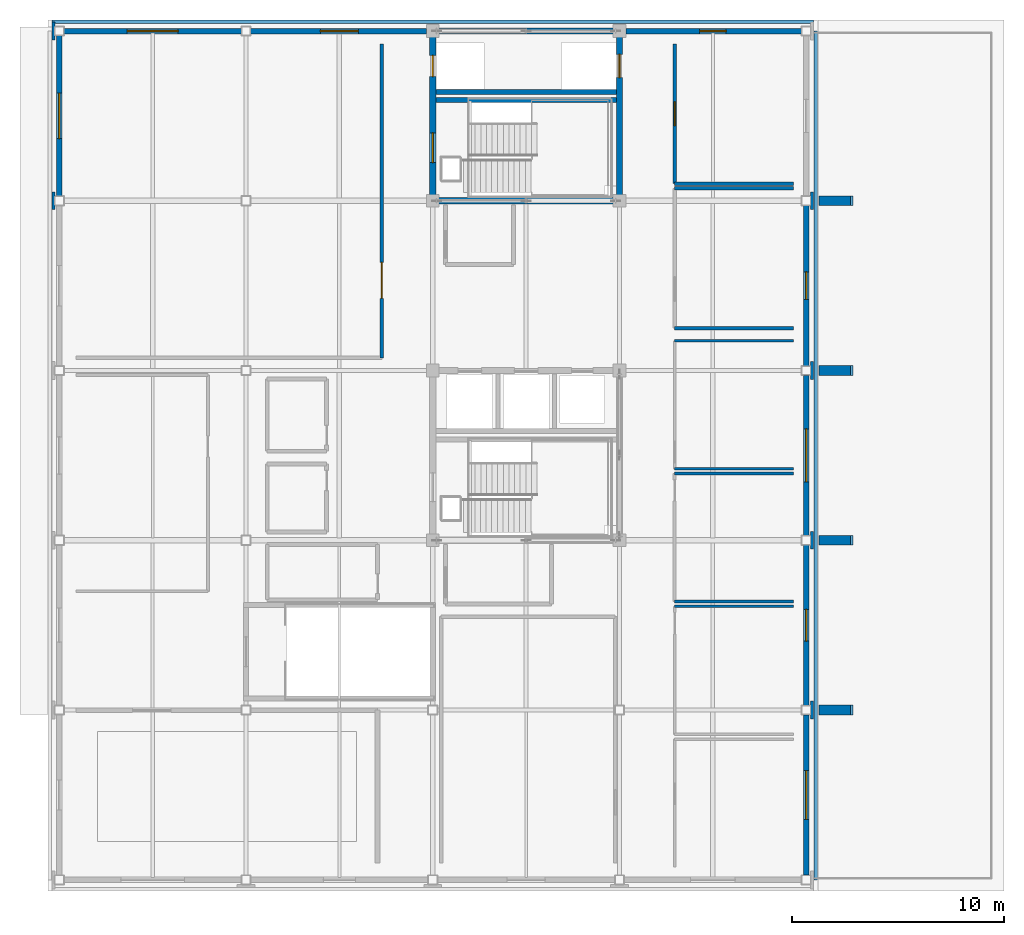
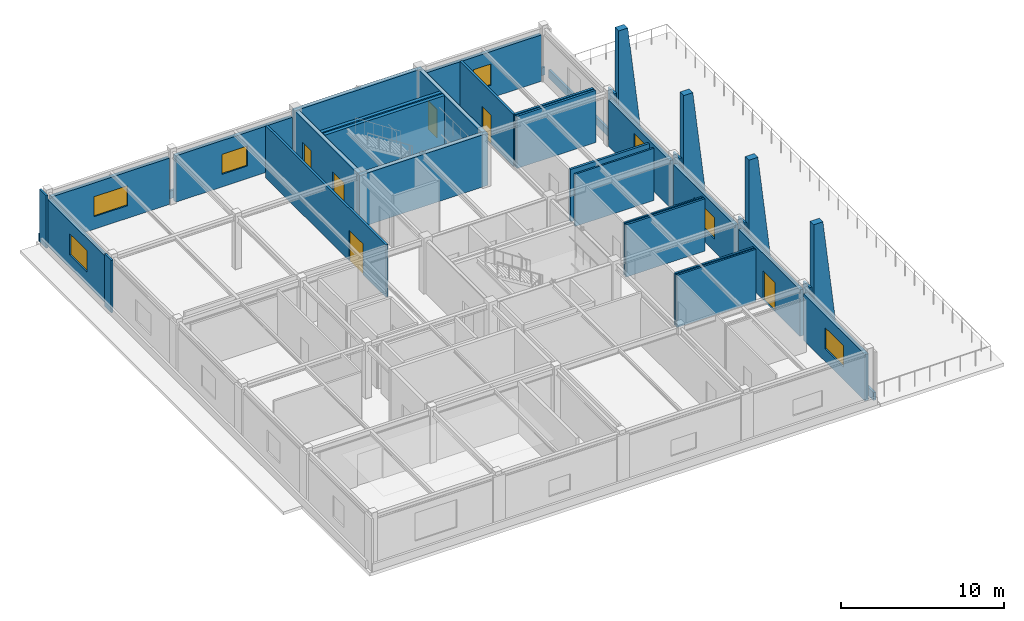
# One storey, part 8 of 13: 36 walls, 7 windows, 6 doors, 13 openings.
"""IFC4 building model written with IfcOpenShell, lengths in metres."""

from ifc_helpers import new_model, si_unit, direction, frame, frame_2d, origin, place, context, subcontext, project, spatial, polyline, rectangle, outline, extrude, material, layer, layer_set, type_object, element, fill, save


model = new_model("IFC4")

# Units and contexts
model_context = context("Model", 3, precision=1e-05, world=origin(), true_north=direction((0.0, 1.0)))
body_context = subcontext(model_context, "Body", "Model", "MODEL_VIEW")
ifc_project = project(units=[si_unit("LENGTHUNIT", "METRE"), si_unit("AREAUNIT", "SQUARE_METRE"), si_unit("VOLUMEUNIT", "CUBIC_METRE"), si_unit("PLANEANGLEUNIT", "RADIAN"), si_unit("MASSUNIT", "GRAM", prefix="KILO")], contexts=[model_context])

# Site, building, storey
site_placement = place(None, origin())
site = spatial("IfcSite", under=ifc_project, at=site_placement, CompositionType="ELEMENT")
building_placement = place(site_placement, origin())
building = spatial("IfcBuilding", under=site, at=building_placement, Name="Zhaolan Boulevard Law Courts", CompositionType="ELEMENT")
storey_placement = place(building_placement, frame((0.0, 0.0, 37.199951171875)))
storey = spatial("IfcBuildingStorey", under=building, at=storey_placement, Name="L08", CompositionType="ELEMENT", Elevation=37.199951171875)

# Walls
ifc_material_1 = material(Name="Concrete C50", Category="concrete")
ifc_layer_1 = layer(ifc_material_1, 0.300048828125)
ifc_layer_set_1 = layer_set([ifc_layer_1])
wall_type_1 = type_object("IfcWallType", Name="CORE SHEAR WALL 300", PredefinedType="SHEAR", material=ifc_layer_set_1)
for number, where, z_axis, x_axis, name in (
    (1, (17.449951171875, 62.0, 0.0), (0.0, 0.0, 1.0), (1.0, 0.0, 0.0), "Core Shear Wall CW-W2-L08S"),
    (2, (26.550048828125, 70.0, 0.0), (0.0, 0.0, 1.0), (-1.0, 0.0, 0.0), "Core Shear Wall CW-W2-L08N"),
):
    element("IfcWall", number, at=place(storey_placement, frame(where, z_axis=z_axis, x_axis=x_axis)), inside=storey, type_object=wall_type_1, Name=name, PredefinedType="SHEAR", context=body_context, shape_type="SweptSolid", body=[
        extrude(rectangle(XDim=9.10009765625, YDim=0.300048828125, at=frame_2d((4.550048828125, 0.0))), origin(), (0.0, 0.0, 1.0), 3.920166015625),
    ])

# Wall, openings, doors
wall_1_placement = place(storey_placement, frame((17.60009765625, 62.14990234375, 0.0), z_axis=(0.0, 0.0, 1.0), x_axis=(0.0, 1.0, 0.0)))
wall_1 = element("IfcWall", 3, at=wall_1_placement, inside=storey, type_object=wall_type_1, Name="Core Shear Wall CW-W2-L08W", PredefinedType="SHEAR", context=body_context, shape_type="SweptSolid", body=[
    extrude(rectangle(XDim=7.7001953125, YDim=0.300048828125, at=frame_2d((3.85009765625, 0.0))), origin(), (0.0, 0.0, 1.0), 3.920166015625),
])
opening_1_placement = place(wall_1_placement, frame((1.64990234375, 0.0, 0.0)))
opening_1 = element("IfcOpeningElement", 4, at=opening_1_placement, cuts=wall_1, Name="Opening SD-L08-21", PredefinedType="OPENING", context=body_context, shape_type="SweptSolid", body=[
    extrude(rectangle(XDim=1.39990234375, YDim=2.199951171875, at=frame_2d((0.699951171875, 1.10009765625))), frame((0.0, 0.159912109375, 0.0), z_axis=(0.0, -1.0, 0.0), x_axis=(1.0, 0.0, 0.0)), (0.0, 0.0, 1.0), 0.320068359375),
])
opening_2_placement = place(wall_1_placement, frame((5.699951171875, 0.0, 0.0)))
opening_2 = element("IfcOpeningElement", 5, at=opening_2_placement, cuts=wall_1, Name="Opening LD-JL-02-L08", PredefinedType="OPENING", context=body_context, shape_type="SweptSolid", body=[
    extrude(rectangle(XDim=1.0, YDim=2.14990234375, at=frame_2d((0.5, 1.074951171875))), frame((0.0, 0.159912109375, 0.0), z_axis=(0.0, -1.0, 0.0), x_axis=(1.0, 0.0, 0.0)), (0.0, 0.0, 1.0), 0.320068359375),
])
ifc_material_2 = material(Name="Stainless steel sliding landing door", Category="steel")
door_type_1 = type_object("IfcDoorType", Name="LIFT LANDING 1000X2150", OperationType="DOUBLE_DOOR_SLIDING", PredefinedType="DOOR", material=ifc_material_2)
door_1_placement = place(opening_2_placement, origin())
door_1 = element("IfcDoor", 6, at=door_1_placement, inside=storey, type_object=door_type_1, Name="Lift Landing Sliding Door LD-JL-02-L08", OperationType="DOUBLE_DOOR_SLIDING", OverallHeight=2.14990234375, OverallWidth=1.0, PredefinedType="DOOR", context=body_context, shape_type="SweptSolid", body=[
    extrude(rectangle(XDim=1.0, YDim=2.14990234375, at=frame_2d((0.5, 1.074951171875))), frame((0.0, 0.02490234375, 0.0), z_axis=(0.0, -1.0, 0.0), x_axis=(1.0, 0.0, 0.0)), (0.0, 0.0, 1.0), 0.050048828125),
])
fill(opening_2, door_1)
ifc_material_3 = material(Name="Fire-rated steel acoustic door", Category="steel")
door_type_2 = type_object("IfcDoorType", Name="STAIR FIRE 1400X2200 L", OperationType="SINGLE_SWING_LEFT", PredefinedType="DOOR", material=ifc_material_3)
door_2_placement = place(opening_1_placement, origin())
door_2 = element("IfcDoor", 7, at=door_2_placement, inside=storey, type_object=door_type_2, Name="Smoke-Proof Stairwell Fire Door SD-L08-21", OperationType="SINGLE_SWING_LEFT", OverallHeight=2.199951171875, OverallWidth=1.39990234375, PredefinedType="DOOR", context=body_context, shape_type="SweptSolid", body=[
    extrude(rectangle(XDim=1.39990234375, YDim=2.199951171875, at=frame_2d((0.699951171875, 1.10009765625))), frame((0.0, 0.02490234375, 0.0), z_axis=(0.0, -1.0, 0.0), x_axis=(1.0, 0.0, 0.0)), (0.0, 0.0, 1.0), 0.050048828125),
])
fill(opening_1, door_2)

# Wall, opening, door
wall_2_placement = place(storey_placement, frame((26.39990234375, 62.14990234375, 0.0), z_axis=(0.0, 0.0, 1.0), x_axis=(0.0, 1.0, 0.0)))
wall_2 = element("IfcWall", 8, at=wall_2_placement, inside=storey, type_object=wall_type_1, Name="Core Shear Wall CW-W2-L08E", PredefinedType="SHEAR", context=body_context, shape_type="SweptSolid", body=[
    extrude(rectangle(XDim=7.7001953125, YDim=0.300048828125, at=frame_2d((3.85009765625, 0.0))), origin(), (0.0, 0.0, 1.0), 3.920166015625),
])
opening_3_placement = place(wall_2_placement, frame((5.64990234375, 0.0, 0.0)))
opening_3 = element("IfcOpeningElement", 9, at=opening_3_placement, cuts=wall_2, Name="Opening LD-FL-03-L08", PredefinedType="OPENING", context=body_context, shape_type="SweptSolid", body=[
    extrude(rectangle(XDim=1.10009765625, YDim=2.14990234375, at=frame_2d((0.550048828125, 1.074951171875))), frame((0.0, 0.159912109375, 0.0), z_axis=(0.0, -1.0, 0.0), x_axis=(1.0, 0.0, 0.0)), (0.0, 0.0, 1.0), 0.320068359375),
])
ifc_material_4 = material(Name="Stainless steel sliding landing door", Category="steel")
door_type_3 = type_object("IfcDoorType", Name="LIFT LANDING 1100X2150", OperationType="DOUBLE_DOOR_SLIDING", PredefinedType="DOOR", material=ifc_material_4)
door_3_placement = place(opening_3_placement, origin())
door_3 = element("IfcDoor", 10, at=door_3_placement, inside=storey, type_object=door_type_3, Name="Lift Landing Sliding Door LD-FL-03-L08", OperationType="DOUBLE_DOOR_SLIDING", OverallHeight=2.14990234375, OverallWidth=1.10009765625, PredefinedType="DOOR", context=body_context, shape_type="SweptSolid", body=[
    extrude(rectangle(XDim=1.10009765625, YDim=2.14990234375, at=frame_2d((0.550048828125, 1.074951171875))), frame((0.0, 0.02490234375, 0.0), z_axis=(0.0, -1.0, 0.0), x_axis=(1.0, 0.0, 0.0)), (0.0, 0.0, 1.0), 0.050048828125),
])
fill(opening_3, door_3)

# Walls
ifc_material_5 = material(Name="Concrete C40", Category="concrete")
ifc_layer_2 = layer(ifc_material_5, 0.139892578125)
ifc_layer_set_2 = layer_set([ifc_layer_2])
wall_type_2 = type_object("IfcWallType", Name="EXT WALL ARCH CLAD140", PredefinedType="SOLIDWALL", material=ifc_layer_set_2)
for number, where, z_axis, x_axis, name in (
    (11, (35.47998046875, 37.580078125, 0.0), (0.0, 0.0, 1.0), (0.0, 1.0, 0.0), "Concrete Column Cloak Pier CPR-186"),
    (12, (35.47998046875, 45.580078125, 0.0), (0.0, 0.0, 1.0), (0.0, 1.0, 0.0), "Concrete Column Cloak Pier CPR-188"),
    (13, (35.47998046875, 53.580078125, 0.0), (0.0, 0.0, 1.0), (0.0, 1.0, 0.0), "Concrete Column Cloak Pier CPR-190"),
    (14, (-0.280029296875, 61.580078125, 0.0), (0.0, 0.0, 1.0), (0.0, 1.0, 0.0), "Concrete Column Cloak Pier CPR-191"),
    (15, (35.47998046875, 61.580078125, 0.0), (0.0, 0.0, 1.0), (0.0, 1.0, 0.0), "Concrete Column Cloak Pier CPR-192"),
    (16, (-0.280029296875, 69.580078125, 0.0), (0.0, 0.0, 1.0), (0.0, 1.0, 0.0), "Concrete Column Cloak Pier CPR-193"),
):
    element("IfcWall", number, at=place(storey_placement, frame(where, z_axis=z_axis, x_axis=x_axis)), inside=storey, type_object=wall_type_2, Name=name, PredefinedType="SOLIDWALL", context=body_context, shape_type="SweptSolid", body=[
        extrude(rectangle(XDim=0.83984375, YDim=0.139892578125, at=frame_2d((0.419921875, 0.0))), origin(), (0.0, 0.0, 1.0), 3.93994140625),
    ])
ifc_material_6 = material(Name="Concrete C40", Category="concrete")
ifc_layer_3 = layer(ifc_material_6, 0.159912109375)
ifc_layer_set_3 = layer_set([ifc_layer_3])
wall_type_3 = type_object("IfcWallType", Name="EXT WALL ARCH CLAD160", PredefinedType="SOLIDWALL", material=ifc_layer_set_3)
wall_3_placement = place(storey_placement, frame((35.639892578125, 30.0, 0.0), z_axis=(0.0, 0.0, 1.0), x_axis=(0.0, 1.0, 0.0)))
element("IfcWall", 17, at=wall_3_placement, inside=storey, type_object=wall_type_3, Name="Sculpted Concrete Spandrel Band CBW-180", PredefinedType="SOLIDWALL", context=body_context, shape_type="SweptSolid", body=[
    extrude(rectangle(XDim=40.0, YDim=0.159912109375, at=frame_2d((20.0, 0.0))), origin(), (0.0, 0.0, 1.0), 0.580078125),
])
wall_4_placement = place(storey_placement, frame((35.5400390625, 70.43994140625, 0.0), z_axis=(0.0, 0.0, 1.0), x_axis=(-1.0, 0.0, 0.0)))
element("IfcWall", 18, at=wall_4_placement, inside=storey, type_object=wall_type_3, Name="Sculpted Concrete Spandrel Band CBW-182", PredefinedType="SOLIDWALL", context=body_context, shape_type="SweptSolid", body=[
    extrude(rectangle(XDim=35.880126953125, YDim=0.159912109375, at=frame_2d((17.93994140625, 0.0))), origin(), (0.0, 0.0, 1.0), 0.580078125),
])
ifc_material_7 = material(Name="Concrete C40", Category="concrete")
ifc_layer_4 = layer(ifc_material_7, 0.4599609375)
ifc_layer_set_4 = layer_set([ifc_layer_4])
wall_type_4 = type_object("IfcWallType", Name="EXT WALL BUTTRESS460", PredefinedType="SOLIDWALL", material=ifc_layer_set_4)
for number, where, z_axis, x_axis, name in (
    (19, (35.800048828125, 38.0, 0.0), (0.0, 0.0, 1.0), (1.0, 0.0, 0.0), "Sculpted Upper East Concrete Fin SCF-229"),
    (20, (35.800048828125, 46.0, 0.0), (0.0, 0.0, 1.0), (1.0, 0.0, 0.0), "Sculpted Upper East Concrete Fin SCF-230"),
    (21, (35.800048828125, 54.0, 0.0), (0.0, 0.0, 1.0), (1.0, 0.0, 0.0), "Sculpted Upper East Concrete Fin SCF-231"),
    (22, (35.800048828125, 62.0, 0.0), (0.0, 0.0, 1.0), (1.0, 0.0, 0.0), "Sculpted Upper East Concrete Fin SCF-232"),
):
    element("IfcWall", number, at=place(storey_placement, frame(where, z_axis=z_axis, x_axis=x_axis)), inside=storey, type_object=wall_type_4, Name=name, PredefinedType="SOLIDWALL", context=body_context, shape_type="SweptSolid", body=[
        extrude(outline(polyline([(0.0, 0.0), (1.599853515625, 0.0), (1.60009765625, 0.199951171875), (0.64990234375, 8.400146484375), (0.0, 8.400146484375), (0.0, 0.0)])), frame((0.0, 0.22998046875, 0.0), z_axis=(0.0, -1.0, 0.0), x_axis=(1.0, 0.0, 0.0)), (0.0, 0.0, 1.0), 0.4599609375),
    ])

# Wall, opening, window
ifc_material_8 = material(Name="Concrete C40", Category="concrete")
ifc_layer_5 = layer(ifc_material_8, 0.260009765625)
ifc_layer_set_5 = layer_set([ifc_layer_5])
wall_type_5 = type_object("IfcWallType", Name="EXT WALL CONCRETE260", PredefinedType="SOLIDWALL", material=ifc_layer_set_5)
wall_5_placement = place(storey_placement, frame((8.5791015625, 70.0, 0.0), z_axis=(0.0, 0.0, 1.0), x_axis=(-1.0, 0.0, 0.0)))
wall_5 = element("IfcWall", 23, at=wall_5_placement, inside=storey, type_object=wall_type_5, Name="Exterior Wall EW-L08-412", PredefinedType="SOLIDWALL", context=body_context, shape_type="SweptSolid", body=[
    extrude(rectangle(XDim=8.358154296875, YDim=0.260009765625, at=frame_2d((4.17919921875, 0.0))), origin(), (0.0, 0.0, 1.0), 3.483154296875),
])
opening_4_placement = place(wall_5_placement, frame((2.97900390625, 0.0, 0.949951171875)))
opening_4 = element("IfcOpeningElement", 24, at=opening_4_placement, cuts=wall_5, Name="Opening WIN-L08-262", PredefinedType="OPENING", context=body_context, shape_type="SweptSolid", body=[
    extrude(rectangle(XDim=2.39990234375, YDim=1.5, at=frame_2d((1.199951171875, 0.75))), frame((0.0, 0.139892578125, 0.0), z_axis=(0.0, -1.0, 0.0), x_axis=(1.0, 0.0, 0.0)), (0.0, 0.0, 1.0), 0.280029296875),
])
ifc_material_9 = material(Name="Thermally broken aluminium and low-E glazing", Category="aluminium")
window_type_1 = type_object("IfcWindowType", Name="WINDOW 2400X1500", PartitioningType="DOUBLE_PANEL_VERTICAL", PredefinedType="WINDOW", material=ifc_material_9)
window_1_placement = place(opening_4_placement, origin())
window_1 = element("IfcWindow", 25, at=window_1_placement, inside=storey, type_object=window_type_1, Name="Exterior Window WIN-L08-262", OverallHeight=1.5, OverallWidth=2.39990234375, PartitioningType="SINGLE_PANEL", PredefinedType="WINDOW", context=body_context, shape_type="SweptSolid", body=[
    extrude(rectangle(XDim=2.39990234375, YDim=1.5, at=frame_2d((1.199951171875, 0.75))), frame((0.0, 0.030029296875, 0.0), z_axis=(0.0, -1.0, 0.0), x_axis=(1.0, 0.0, 0.0)), (0.0, 0.0, 1.0), 0.06005859375),
])
fill(opening_4, window_1)

wall_6_placement = place(storey_placement, frame((17.303955078125, 70.0, 0.0), z_axis=(0.0, 0.0, 1.0), x_axis=(-1.0, 0.0, 0.0)))
wall_6 = element("IfcWall", 26, at=wall_6_placement, inside=storey, type_object=wall_type_5, Name="Exterior Wall EW-L08-413", PredefinedType="SOLIDWALL", context=body_context, shape_type="SweptSolid", body=[
    extrude(rectangle(XDim=8.282958984375, YDim=0.260009765625, at=frame_2d((4.1416015625, 0.0))), origin(), (0.0, 0.0, 1.0), 3.483154296875),
])
opening_5_placement = place(wall_6_placement, frame((3.2041015625, 0.0, 0.949951171875)))
opening_5 = element("IfcOpeningElement", 27, at=opening_5_placement, cuts=wall_6, Name="Opening WIN-L08-263", PredefinedType="OPENING", context=body_context, shape_type="SweptSolid", body=[
    extrude(rectangle(XDim=1.800048828125, YDim=1.5, at=frame_2d((0.89990234375, 0.75))), frame((0.0, 0.139892578125, 0.0), z_axis=(0.0, -1.0, 0.0), x_axis=(1.0, 0.0, 0.0)), (0.0, 0.0, 1.0), 0.280029296875),
])
ifc_material_10 = material(Name="Thermally broken aluminium and low-E glazing", Category="aluminium")
window_type_2 = type_object("IfcWindowType", Name="WINDOW 1800X1500", PartitioningType="DOUBLE_PANEL_VERTICAL", PredefinedType="WINDOW", material=ifc_material_10)
window_2_placement = place(opening_5_placement, origin())
window_2 = element("IfcWindow", 28, at=window_2_placement, inside=storey, type_object=window_type_2, Name="Exterior Window WIN-L08-263", OverallHeight=1.5, OverallWidth=1.800048828125, PartitioningType="SINGLE_PANEL", PredefinedType="WINDOW", context=body_context, shape_type="SweptSolid", body=[
    extrude(rectangle(XDim=1.800048828125, YDim=1.5, at=frame_2d((0.89990234375, 0.75))), frame((0.0, 0.030029296875, 0.0), z_axis=(0.0, -1.0, 0.0), x_axis=(1.0, 0.0, 0.0)), (0.0, 0.0, 1.0), 0.06005859375),
])
fill(opening_5, window_2)

wall_7_placement = place(storey_placement, frame((34.97900390625, 70.0, 0.0), z_axis=(0.0, 0.0, 1.0), x_axis=(-1.0, 0.0, 0.0)))
wall_7 = element("IfcWall", 29, at=wall_7_placement, inside=storey, type_object=wall_type_5, Name="Exterior Wall EW-L08-414", PredefinedType="SOLIDWALL", context=body_context, shape_type="SweptSolid", body=[
    extrude(rectangle(XDim=8.282958984375, YDim=0.260009765625, at=frame_2d((4.1416015625, 0.0))), origin(), (0.0, 0.0, 1.0), 3.483154296875),
])
opening_6_placement = place(wall_7_placement, frame((3.553955078125, 0.0, 0.949951171875)))
opening_6 = element("IfcOpeningElement", 30, at=opening_6_placement, cuts=wall_7, Name="Opening WIN-L08-264", PredefinedType="OPENING", context=body_context, shape_type="SweptSolid", body=[
    extrude(rectangle(XDim=1.25, YDim=1.60009765625, at=frame_2d((0.625, 0.800048828125))), frame((0.0, 0.139892578125, 0.0), z_axis=(0.0, -1.0, 0.0), x_axis=(1.0, 0.0, 0.0)), (0.0, 0.0, 1.0), 0.280029296875),
])
ifc_material_11 = material(Name="Thermally broken aluminium and low-E glazing", Category="aluminium")
window_type_3 = type_object("IfcWindowType", Name="WINDOW 1250X1600", PartitioningType="SINGLE_PANEL", PredefinedType="WINDOW", material=ifc_material_11)
window_3_placement = place(opening_6_placement, origin())
window_3 = element("IfcWindow", 31, at=window_3_placement, inside=storey, type_object=window_type_3, Name="Exterior Window WIN-L08-264", OverallHeight=1.60009765625, OverallWidth=1.25, PartitioningType="SINGLE_PANEL", PredefinedType="WINDOW", context=body_context, shape_type="SweptSolid", body=[
    extrude(rectangle(XDim=1.25, YDim=1.60009765625, at=frame_2d((0.625, 0.800048828125))), frame((0.0, 0.030029296875, 0.0), z_axis=(0.0, -1.0, 0.0), x_axis=(1.0, 0.0, 0.0)), (0.0, 0.0, 1.0), 0.06005859375),
])
fill(opening_6, window_3)

wall_8_placement = place(storey_placement, frame((0.0, 69.779052734375, 0.0), z_axis=(0.0, 0.0, 1.0), x_axis=(0.0, -1.0, 0.0)))
wall_8 = element("IfcWall", 32, at=wall_8_placement, inside=storey, type_object=wall_type_5, Name="Exterior Wall EW-L08-419", PredefinedType="SOLIDWALL", context=body_context, shape_type="SweptSolid", body=[
    extrude(rectangle(XDim=7.55810546875, YDim=0.260009765625, at=frame_2d((3.779052734375, 0.0))), origin(), (0.0, 0.0, 1.0), 3.483154296875),
])
opening_7_placement = place(wall_8_placement, frame((2.7041015625, 0.0, 0.949951171875)))
opening_7 = element("IfcOpeningElement", 33, at=opening_7_placement, cuts=wall_8, Name="Opening WIN-L08-269", PredefinedType="OPENING", context=body_context, shape_type="SweptSolid", body=[
    extrude(rectangle(XDim=2.14990234375, YDim=1.60009765625, at=frame_2d((1.074951171875, 0.800048828125))), frame((0.0, 0.139892578125, 0.0), z_axis=(0.0, -1.0, 0.0), x_axis=(1.0, 0.0, 0.0)), (0.0, 0.0, 1.0), 0.280029296875),
])
ifc_material_12 = material(Name="Thermally broken aluminium and low-E glazing", Category="aluminium")
window_type_4 = type_object("IfcWindowType", Name="WINDOW 2150X1600", PartitioningType="DOUBLE_PANEL_VERTICAL", PredefinedType="WINDOW", material=ifc_material_12)
window_4_placement = place(opening_7_placement, origin())
window_4 = element("IfcWindow", 34, at=window_4_placement, inside=storey, type_object=window_type_4, Name="Exterior Window WIN-L08-269", OverallHeight=1.60009765625, OverallWidth=2.14990234375, PartitioningType="SINGLE_PANEL", PredefinedType="WINDOW", context=body_context, shape_type="SweptSolid", body=[
    extrude(rectangle(XDim=2.14990234375, YDim=1.60009765625, at=frame_2d((1.074951171875, 0.800048828125))), frame((0.0, 0.030029296875, 0.0), z_axis=(0.0, -1.0, 0.0), x_axis=(1.0, 0.0, 0.0)), (0.0, 0.0, 1.0), 0.06005859375),
])
fill(opening_7, window_4)

wall_9_placement = place(storey_placement, frame((35.199951171875, 30.220947265625, 0.0), z_axis=(0.0, 0.0, 1.0), x_axis=(0.0, 1.0, 0.0)))
wall_9 = element("IfcWall", 35, at=wall_9_placement, inside=storey, type_object=wall_type_5, Name="Exterior Wall EW-L08-420", PredefinedType="SOLIDWALL", context=body_context, shape_type="SweptSolid", body=[
    extrude(rectangle(XDim=7.55810546875, YDim=0.260009765625, at=frame_2d((3.779052734375, 0.0))), origin(), (0.0, 0.0, 1.0), 3.483154296875),
])
opening_8_placement = place(wall_9_placement, frame((2.62890625, 0.0, 0.949951171875)))
opening_8 = element("IfcOpeningElement", 36, at=opening_8_placement, cuts=wall_9, Name="Opening WIN-L08-270", PredefinedType="OPENING", context=body_context, shape_type="SweptSolid", body=[
    extrude(rectangle(XDim=2.300048828125, YDim=1.60009765625, at=frame_2d((1.14990234375, 0.800048828125))), frame((0.0, 0.139892578125, 0.0), z_axis=(0.0, -1.0, 0.0), x_axis=(1.0, 0.0, 0.0)), (0.0, 0.0, 1.0), 0.280029296875),
])
ifc_material_13 = material(Name="Thermally broken aluminium and low-E glazing", Category="aluminium")
window_type_5 = type_object("IfcWindowType", Name="WINDOW 2300X1600", PartitioningType="DOUBLE_PANEL_VERTICAL", PredefinedType="WINDOW", material=ifc_material_13)
window_5_placement = place(opening_8_placement, origin())
window_5 = element("IfcWindow", 37, at=window_5_placement, inside=storey, type_object=window_type_5, Name="Exterior Window WIN-L08-270", OverallHeight=1.60009765625, OverallWidth=2.300048828125, PartitioningType="SINGLE_PANEL", PredefinedType="WINDOW", context=body_context, shape_type="SweptSolid", body=[
    extrude(rectangle(XDim=2.300048828125, YDim=1.60009765625, at=frame_2d((1.14990234375, 0.800048828125))), frame((0.0, 0.030029296875, 0.0), z_axis=(0.0, -1.0, 0.0), x_axis=(1.0, 0.0, 0.0)), (0.0, 0.0, 1.0), 0.06005859375),
])
fill(opening_8, window_5)

# Wall, opening, door
wall_10_placement = place(storey_placement, frame((35.199951171875, 38.220947265625, 0.0), z_axis=(0.0, 0.0, 1.0), x_axis=(0.0, 1.0, 0.0)))
wall_10 = element("IfcWall", 38, at=wall_10_placement, inside=storey, type_object=wall_type_5, Name="Exterior Wall EW-L08-421", PredefinedType="SOLIDWALL", context=body_context, shape_type="SweptSolid", body=[
    extrude(rectangle(XDim=7.55810546875, YDim=0.260009765625, at=frame_2d((3.779052734375, 0.0))), origin(), (0.0, 0.0, 1.0), 3.483154296875),
])
opening_9_placement = place(wall_10_placement, frame((3.029052734375, 0.0, 0.0)))
opening_9 = element("IfcOpeningElement", 39, at=opening_9_placement, cuts=wall_10, Name="Opening TD-L08-01", PredefinedType="OPENING", context=body_context, shape_type="SweptSolid", body=[
    extrude(rectangle(XDim=1.5, YDim=2.199951171875, at=frame_2d((0.75, 1.10009765625))), frame((0.0, 0.139892578125, 0.0), z_axis=(0.0, -1.0, 0.0), x_axis=(1.0, 0.0, 0.0)), (0.0, 0.0, 1.0), 0.280029296875),
])
ifc_material_14 = material(Name="Insulated powder-coated steel and safety glass", Category="steel")
door_type_4 = type_object("IfcDoorType", Name="TERRACE DOOR 1500X2200", OperationType="SINGLE_SWING_LEFT", PredefinedType="DOOR", material=ifc_material_14)
door_4_placement = place(opening_9_placement, origin())
door_4 = element("IfcDoor", 40, at=door_4_placement, inside=storey, type_object=door_type_4, Name="Terrace Access Door TD-L08-01", OperationType="SINGLE_SWING_LEFT", OverallHeight=2.199951171875, OverallWidth=1.5, PredefinedType="DOOR", context=body_context, shape_type="SweptSolid", body=[
    extrude(rectangle(XDim=1.5, YDim=2.199951171875, at=frame_2d((0.75, 1.10009765625))), frame((0.0, 0.02490234375, 0.0), z_axis=(0.0, -1.0, 0.0), x_axis=(1.0, 0.0, 0.0)), (0.0, 0.0, 1.0), 0.050048828125),
])
fill(opening_9, door_4)

# Wall, opening, window
wall_11_placement = place(storey_placement, frame((35.199951171875, 46.220947265625, 0.0), z_axis=(0.0, 0.0, 1.0), x_axis=(0.0, 1.0, 0.0)))
wall_11 = element("IfcWall", 41, at=wall_11_placement, inside=storey, type_object=wall_type_5, Name="Exterior Wall EW-L08-422", PredefinedType="SOLIDWALL", context=body_context, shape_type="SweptSolid", body=[
    extrude(rectangle(XDim=7.55810546875, YDim=0.260009765625, at=frame_2d((3.779052734375, 0.0))), origin(), (0.0, 0.0, 1.0), 3.483154296875),
])
opening_10_placement = place(wall_11_placement, frame((2.529052734375, 0.0, 0.949951171875)))
opening_10 = element("IfcOpeningElement", 42, at=opening_10_placement, cuts=wall_11, Name="Opening WIN-L08-271", PredefinedType="OPENING", context=body_context, shape_type="SweptSolid", body=[
    extrude(rectangle(XDim=2.5, YDim=1.60009765625, at=frame_2d((1.25, 0.800048828125))), frame((0.0, 0.139892578125, 0.0), z_axis=(0.0, -1.0, 0.0), x_axis=(1.0, 0.0, 0.0)), (0.0, 0.0, 1.0), 0.280029296875),
])
ifc_material_15 = material(Name="Thermally broken aluminium and low-E glazing", Category="aluminium")
window_type_6 = type_object("IfcWindowType", Name="WINDOW 2500X1600", PartitioningType="DOUBLE_PANEL_VERTICAL", PredefinedType="WINDOW", material=ifc_material_15)
window_6_placement = place(opening_10_placement, origin())
window_6 = element("IfcWindow", 43, at=window_6_placement, inside=storey, type_object=window_type_6, Name="Exterior Window WIN-L08-271", OverallHeight=1.60009765625, OverallWidth=2.5, PartitioningType="SINGLE_PANEL", PredefinedType="WINDOW", context=body_context, shape_type="SweptSolid", body=[
    extrude(rectangle(XDim=2.5, YDim=1.60009765625, at=frame_2d((1.25, 0.800048828125))), frame((0.0, 0.030029296875, 0.0), z_axis=(0.0, -1.0, 0.0), x_axis=(1.0, 0.0, 0.0)), (0.0, 0.0, 1.0), 0.06005859375),
])
fill(opening_10, window_6)

wall_12_placement = place(storey_placement, frame((35.199951171875, 54.220947265625, 0.0), z_axis=(0.0, 0.0, 1.0), x_axis=(0.0, 1.0, 0.0)))
wall_12 = element("IfcWall", 44, at=wall_12_placement, inside=storey, type_object=wall_type_5, Name="Exterior Wall EW-L08-423", PredefinedType="SOLIDWALL", context=body_context, shape_type="SweptSolid", body=[
    extrude(rectangle(XDim=7.55810546875, YDim=0.260009765625, at=frame_2d((3.779052734375, 0.0))), origin(), (0.0, 0.0, 1.0), 3.483154296875),
])
opening_11_placement = place(wall_12_placement, frame((3.12890625, 0.0, 0.949951171875)))
opening_11 = element("IfcOpeningElement", 45, at=opening_11_placement, cuts=wall_12, Name="Opening WIN-L08-272", PredefinedType="OPENING", context=body_context, shape_type="SweptSolid", body=[
    extrude(rectangle(XDim=1.300048828125, YDim=1.949951171875, at=frame_2d((0.64990234375, 0.97509765625))), frame((0.0, 0.139892578125, 0.0), z_axis=(0.0, -1.0, 0.0), x_axis=(1.0, 0.0, 0.0)), (0.0, 0.0, 1.0), 0.280029296875),
])
ifc_material_16 = material(Name="Thermally broken aluminium and low-E glazing", Category="aluminium")
window_type_7 = type_object("IfcWindowType", Name="WINDOW 1300X1950", PartitioningType="SINGLE_PANEL", PredefinedType="WINDOW", material=ifc_material_16)
window_7_placement = place(opening_11_placement, origin())
window_7 = element("IfcWindow", 46, at=window_7_placement, inside=storey, type_object=window_type_7, Name="Exterior Window WIN-L08-272", OverallHeight=1.949951171875, OverallWidth=1.300048828125, PartitioningType="SINGLE_PANEL", PredefinedType="WINDOW", context=body_context, shape_type="SweptSolid", body=[
    extrude(rectangle(XDim=1.300048828125, YDim=1.949951171875, at=frame_2d((0.64990234375, 0.97509765625))), frame((0.0, 0.030029296875, 0.0), z_axis=(0.0, -1.0, 0.0), x_axis=(1.0, 0.0, 0.0)), (0.0, 0.0, 1.0), 0.06005859375),
])
fill(opening_11, window_7)

# Wall
ifc_material_17 = material(Name="Concrete C50", Category="concrete")
ifc_layer_6 = layer(ifc_material_17, 0.239990234375)
ifc_layer_set_6 = layer_set([ifc_layer_6])
wall_type_6 = type_object("IfcWallType", Name="LIFT SHAFT WALL 240", PredefinedType="SHEAR", material=ifc_layer_set_6)
wall_13_placement = place(storey_placement, frame((17.75, 67.1298828125, 0.0), z_axis=(0.0, 0.0, 1.0), x_axis=(1.0, 0.0, 0.0)))
element("IfcWall", 47, at=wall_13_placement, inside=storey, type_object=wall_type_6, Name="Lift Shaft Enclosure Wall W2 (L08)", PredefinedType="SHEAR", context=body_context, shape_type="SweptSolid", body=[
    extrude(rectangle(XDim=8.5, YDim=0.239990234375, at=frame_2d((4.25, 0.0))), origin(), (0.0, 0.0, 1.0), 3.920166015625),
])

# Wall, opening, door
ifc_material_18 = material(Name="Fire-rated gypsum stud partition")
ifc_layer_7 = layer(ifc_material_18, 0.159912109375)
ifc_layer_set_7 = layer_set([ifc_layer_7])
wall_type_7 = type_object("IfcWallType", Name="PART WALL CHAMB160", PredefinedType="PARTITIONING", material=ifc_layer_set_7)
wall_14_placement = place(storey_placement, frame((15.199951171875, 54.60009765625, 0.0), z_axis=(0.0, 0.0, 1.0), x_axis=(0.0, 1.0, 0.0)))
wall_14 = element("IfcWall", 48, at=wall_14_placement, inside=storey, type_object=wall_type_7, Name="Interior Partition PW-L08-713", PredefinedType="PARTITIONING", context=body_context, shape_type="SweptSolid", body=[
    extrude(rectangle(XDim=14.7998046875, YDim=0.159912109375, at=frame_2d((7.39990234375, 0.0))), origin(), (0.0, 0.0, 1.0), 3.920166015625),
])
opening_12_placement = place(wall_14_placement, frame((2.800048828125, 0.0, 0.0)))
opening_12 = element("IfcOpeningElement", 49, at=opening_12_placement, cuts=wall_14, Name="Opening ID-L08-220", PredefinedType="OPENING", context=body_context, shape_type="SweptSolid", body=[
    extrude(rectangle(XDim=1.699951171875, YDim=2.300048828125, at=frame_2d((0.85009765625, 1.14990234375))), frame((0.0, 0.08984375, 0.0), z_axis=(0.0, -1.0, 0.0), x_axis=(1.0, 0.0, 0.0)), (0.0, 0.0, 1.0), 0.179931640625),
])
ifc_material_19 = material(Name="Solid-core acoustic oak veneer door")
door_type_5 = type_object("IfcDoorType", Name="LIB DOUBLE 1700X2300", OperationType="DOUBLE_DOOR_SINGLE_SWING", PredefinedType="DOOR", material=ifc_material_19)
door_5_placement = place(opening_12_placement, origin())
door_5 = element("IfcDoor", 50, at=door_5_placement, inside=storey, type_object=door_type_5, Name="Door ID-L08-220 (Law Library Judicial Reference Room)", OperationType="DOUBLE_DOOR_SINGLE_SWING", OverallHeight=2.300048828125, OverallWidth=1.699951171875, PredefinedType="DOOR", context=body_context, shape_type="SweptSolid", body=[
    extrude(rectangle(XDim=1.699951171875, YDim=2.300048828125, at=frame_2d((0.85009765625, 1.14990234375))), frame((0.0, 0.02490234375, 0.0), z_axis=(0.0, -1.0, 0.0), x_axis=(1.0, 0.0, 0.0)), (0.0, 0.0, 1.0), 0.050048828125),
])
fill(opening_12, door_5)

# Walls
for number, where, z_axis, x_axis, name in (
    (51, (29.0, 56.0, 0.0), (0.0, 0.0, 1.0), (1.0, 0.0, 0.0), "Interior Partition PW-L08-725"),
    (52, (34.60009765625, 62.590087890625, 0.0), (0.0, 0.0, 1.0), (-1.0, 0.0, 0.0), "Interior Partition PW-L08-726"),
    (53, (29.0, 62.81005859375, 0.0), (0.0, 0.0, 1.0), (1.0, 0.0, 0.0), "Interior Partition PW-L08-728"),
):
    element("IfcWall", number, at=place(storey_placement, frame(where, z_axis=z_axis, x_axis=x_axis)), inside=storey, type_object=wall_type_7, Name=name, PredefinedType="PARTITIONING", context=body_context, shape_type="SweptSolid", body=[
        extrude(rectangle(XDim=5.60009765625, YDim=0.159912109375, at=frame_2d((2.800048828125, 0.0))), origin(), (0.0, 0.0, 1.0), 3.920166015625),
    ])

# Wall, opening, door
wall_15_placement = place(storey_placement, frame((29.0, 69.39990234375, 0.0), z_axis=(0.0, 0.0, 1.0), x_axis=(0.0, -1.0, 0.0)))
wall_15 = element("IfcWall", 54, at=wall_15_placement, inside=storey, type_object=wall_type_7, Name="Interior Partition PW-L08-729", PredefinedType="PARTITIONING", context=body_context, shape_type="SweptSolid", body=[
    extrude(rectangle(XDim=6.58984375, YDim=0.159912109375, at=frame_2d((3.294921875, 0.0))), origin(), (0.0, 0.0, 1.0), 3.920166015625),
])
opening_13_placement = place(wall_15_placement, frame((2.735107421875, 0.0, 0.0)))
opening_13 = element("IfcOpeningElement", 55, at=opening_13_placement, cuts=wall_15, Name="Opening JR-L08-226", PredefinedType="OPENING", context=body_context, shape_type="SweptSolid", body=[
    extrude(rectangle(XDim=1.1201171875, YDim=2.199951171875, at=frame_2d((0.56005859375, 1.10009765625))), frame((0.0, 0.08984375, 0.0), z_axis=(0.0, -1.0, 0.0), x_axis=(1.0, 0.0, 0.0)), (0.0, 0.0, 1.0), 0.179931640625),
])
ifc_material_20 = material(Name="Solid-core acoustic oak veneer door")
door_type_6 = type_object("IfcDoorType", Name="JURY DOOR 1120X2200 R", OperationType="SINGLE_SWING_RIGHT", PredefinedType="DOOR", material=ifc_material_20)
door_6_placement = place(opening_13_placement, origin())
door_6 = element("IfcDoor", 56, at=door_6_placement, inside=storey, type_object=door_type_6, Name="Door JR-L08-226 (Jury Room L08-02)", OperationType="SINGLE_SWING_RIGHT", OverallHeight=2.199951171875, OverallWidth=1.1201171875, PredefinedType="DOOR", context=body_context, shape_type="SweptSolid", body=[
    extrude(rectangle(XDim=1.1201171875, YDim=2.199951171875, at=frame_2d((0.56005859375, 1.10009765625))), frame((0.0, 0.02490234375, 0.0), z_axis=(0.0, -1.0, 0.0), x_axis=(1.0, 0.0, 0.0)), (0.0, 0.0, 1.0), 0.050048828125),
])
fill(opening_13, door_6)

# Walls
ifc_material_21 = material(Name="Gypsum board stud partition")
ifc_layer_8 = layer(ifc_material_21, 0.1201171875)
ifc_layer_set_8 = layer_set([ifc_layer_8])
wall_type_8 = type_object("IfcWallType", Name="PART WALL LIGHT120", PredefinedType="PARTITIONING", material=ifc_layer_set_8)
for number, where, z_axis, x_axis, name in (
    (57, (34.60009765625, 42.889892578125, 0.0), (0.0, 0.0, 1.0), (-1.0, 0.0, 0.0), "Interior Partition PW-L08-717"),
    (58, (29.0, 49.364990234375, 0.0), (0.0, 0.0, 1.0), (1.0, 0.0, 0.0), "Interior Partition PW-L08-722"),
    (59, (34.60009765625, 55.39990234375, 0.0), (0.0, 0.0, 1.0), (-1.0, 0.0, 0.0), "Interior Partition PW-L08-723"),
):
    element("IfcWall", number, at=place(storey_placement, frame(where, z_axis=z_axis, x_axis=x_axis)), inside=storey, type_object=wall_type_8, Name=name, PredefinedType="PARTITIONING", context=body_context, shape_type="SweptSolid", body=[
        extrude(rectangle(XDim=5.60009765625, YDim=0.1201171875, at=frame_2d((2.800048828125, 0.0))), origin(), (0.0, 0.0, 1.0), 3.920166015625),
    ])
ifc_material_22 = material(Name="Fire-rated gypsum stud partition")
ifc_layer_9 = layer(ifc_material_22, 0.139892578125)
ifc_layer_set_9 = layer_set([ifc_layer_9])
wall_type_9 = type_object("IfcWallType", Name="PART WALL OFFICE140", PredefinedType="PARTITIONING", material=ifc_layer_set_9)
for number, where, z_axis, x_axis, name in (
    (60, (29.0, 43.110107421875, 0.0), (0.0, 0.0, 1.0), (1.0, 0.0, 0.0), "Interior Partition PW-L08-719"),
    (61, (34.60009765625, 49.14501953125, 0.0), (0.0, 0.0, 1.0), (-1.0, 0.0, 0.0), "Interior Partition PW-L08-720"),
):
    element("IfcWall", number, at=place(storey_placement, frame(where, z_axis=z_axis, x_axis=x_axis)), inside=storey, type_object=wall_type_9, Name=name, PredefinedType="PARTITIONING", context=body_context, shape_type="SweptSolid", body=[
        extrude(rectangle(XDim=5.60009765625, YDim=0.139892578125, at=frame_2d((2.800048828125, 0.0))), origin(), (0.0, 0.0, 1.0), 3.920166015625),
    ])
ifc_material_23 = material(Name="Concrete C50", Category="concrete")
ifc_layer_10 = layer(ifc_material_23, 0.239990234375)
ifc_layer_set_10 = layer_set([ifc_layer_10])
wall_type_10 = type_object("IfcWallType", Name="STAIR WELL WALL 240", PredefinedType="SHEAR", material=ifc_layer_set_10)
wall_16_placement = place(storey_placement, frame((17.75, 66.75, 0.0), z_axis=(0.0, 0.0, 1.0), x_axis=(1.0, 0.0, 0.0)))
element("IfcWall", 62, at=wall_16_placement, inside=storey, type_object=wall_type_10, Name="Stairwell Divider Shear Wall ST02-L08N", PredefinedType="SHEAR", context=body_context, shape_type="SweptSolid", body=[
    extrude(rectangle(XDim=8.5, YDim=0.239990234375, at=frame_2d((4.25, 0.0))), origin(), (0.0, 0.0, 1.0), 3.949951171875),
])

save(model, "model.ifc")
